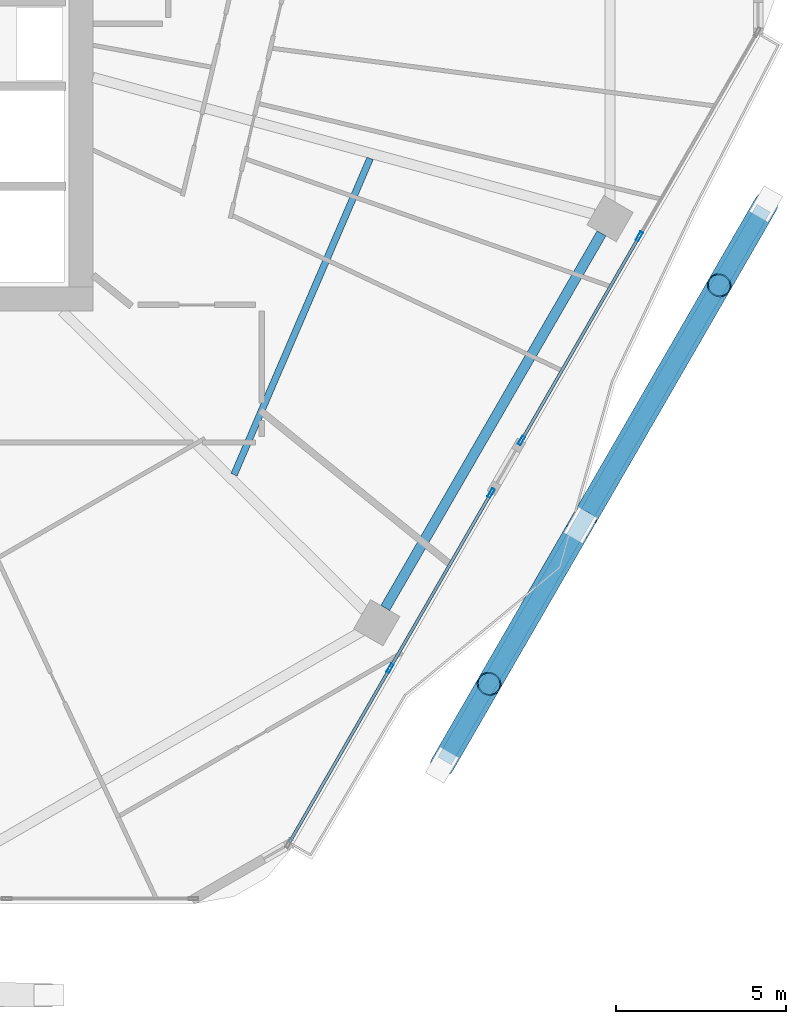
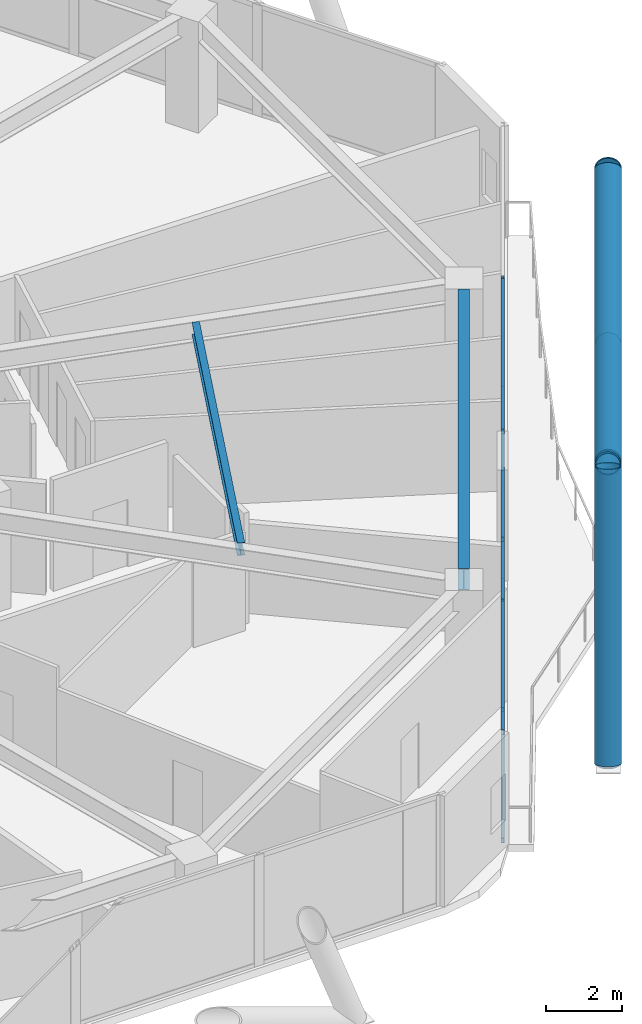
# One storey, part 9 of 30: 16 members, 2 beams, 2 elements without a shape of their own.
"""IFC4 building model written with IfcOpenShell, lengths in metres."""

from ifc_helpers import new_model, si_unit, direction, frame, origin, origin_2d, place, context, subcontext, project, spatial, hollow_rectangle, hollow_circle, i_section, extrude, material, material_profile, profile_set, type_object, element, aggregate, save


model = new_model("IFC4")

# Units and contexts
model_context = context("Model", 3, precision=1e-05, world=origin(), true_north=direction((0.0, 1.0)))
body_context = subcontext(model_context, "Body", "Model", "MODEL_VIEW")
ifc_project = project(units=[si_unit("LENGTHUNIT", "METRE"), si_unit("AREAUNIT", "SQUARE_METRE"), si_unit("VOLUMEUNIT", "CUBIC_METRE"), si_unit("PLANEANGLEUNIT", "RADIAN"), si_unit("MASSUNIT", "GRAM", prefix="KILO")], contexts=[model_context])

# Site, building, storey
site_placement = place(None, origin())
site = spatial("IfcSite", under=ifc_project, at=site_placement, CompositionType="ELEMENT")
building_placement = place(site_placement, origin())
building = spatial("IfcBuilding", under=site, at=building_placement, Name="Zuhravey Tower", CompositionType="ELEMENT")
storey_placement = place(building_placement, frame((0.0, 0.0, 177.0)))
storey = spatial("IfcBuildingStorey", under=building, at=storey_placement, Name="L44", CompositionType="ELEMENT", Elevation=177.0)

# Curtain wall, members
ifc_material_1 = material(Name="Thermally broken anodised aluminium", Category="aluminium")
curtain_wall_type = type_object("IfcCurtainWallType", Name="Zone 1-2 Residential Curtain Wall CW3", PredefinedType="NOTDEFINED", material=ifc_material_1)
curtain_wall_1_placement = place(storey_placement, origin())
curtain_wall_1 = element("IfcCurtainWall", 1, at=curtain_wall_1_placement, inside=storey, type_object=curtain_wall_type, Name="L44 CW3 CW-L44-F6-1", PredefinedType="NOTDEFINED")
ifc_material_2 = material(Name="Anodised aluminium", Category="aluminium")
ifc_material_profile_1 = material_profile(ifc_material_2, hollow_rectangle(XDim=0.090087890625, YDim=0.284912109375, WallThickness=0.0048828125, at=origin_2d()), Name="ALU-RHS-90x285x5")
ifc_profile_set_1 = profile_set([ifc_material_profile_1], Name="Anodised aluminium")
member_type_1 = type_object("IfcMemberType", Name="Curtain-Wall Mullion 90x180", PredefinedType="MULLION", material=ifc_profile_set_1)
member_1_placement = place(storey_placement, frame((62.97265625, 24.351806640625, 0.0), z_axis=(0.0, 0.0, 1.0), x_axis=(0.86602341816, -0.500003439186, 0.0)))
member_1 = element("IfcMember", 2, at=member_1_placement, type_object=member_type_1, Name="CW3 mullion 2", PredefinedType="MULLION", context=body_context, shape_type="SweptSolid", body=[
    extrude(hollow_rectangle(XDim=0.090087890625, YDim=0.284912109375, WallThickness=0.0048828125, at=origin_2d()), origin(), (0.0, 0.0, 1.0), 3.550048828125),
])
member_2_placement = place(storey_placement, frame((59.49609375, 18.330078125, 0.0), z_axis=(0.0, 0.0, 1.0), x_axis=(0.86602341816, -0.500003439186, 0.0)))
member_2 = element("IfcMember", 3, at=member_2_placement, type_object=member_type_1, Name="CW3 mullion 3", PredefinedType="MULLION", context=body_context, shape_type="SweptSolid", body=[
    extrude(hollow_rectangle(XDim=0.090087890625, YDim=0.284912109375, WallThickness=0.0048828125, at=origin_2d()), origin(), (0.0, 0.0, 1.0), 3.550048828125),
])

curtain_wall_2_placement = place(storey_placement, origin())
curtain_wall_2 = element("IfcCurtainWall", 4, at=curtain_wall_2_placement, inside=storey, type_object=curtain_wall_type, Name="L44 CW3 CW-L44-F6-2", PredefinedType="NOTDEFINED")
member_3_placement = place(storey_placement, frame((58.60107421875, 16.780029296875, 0.0), z_axis=(0.0, 0.0, 1.0), x_axis=(0.866025921518, -0.499999103257, 0.0)))
member_3 = element("IfcMember", 5, at=member_3_placement, type_object=member_type_1, Name="CW3 mullion 1", PredefinedType="MULLION", context=body_context, shape_type="SweptSolid", body=[
    extrude(hollow_rectangle(XDim=0.090087890625, YDim=0.284912109375, WallThickness=0.0048828125, at=origin_2d()), origin(), (0.0, 0.0, 1.0), 3.550048828125),
])
member_4_placement = place(storey_placement, frame((55.6171875, 11.611572265625, 0.0), z_axis=(0.0, 0.0, 1.0), x_axis=(0.866025921518, -0.499999103257, 0.0)))
member_4 = element("IfcMember", 6, at=member_4_placement, type_object=member_type_1, Name="CW3 mullion 2", PredefinedType="MULLION", context=body_context, shape_type="SweptSolid", body=[
    extrude(hollow_rectangle(XDim=0.090087890625, YDim=0.284912109375, WallThickness=0.0048828125, at=origin_2d()), origin(), (0.0, 0.0, 1.0), 3.550048828125),
])

# Member
ifc_material_profile_2 = material_profile(ifc_material_2, hollow_rectangle(XDim=0.090087890625, YDim=0.14990234375, WallThickness=0.0048828125, at=origin_2d()), Name="ALU-RHS-90x150x5")
ifc_profile_set_2 = profile_set([ifc_material_profile_2], Name="Anodised aluminium")
member_type_2 = type_object("IfcMemberType", Name="Curtain-Wall Transom 90x150", PredefinedType="USERDEFINED", material=ifc_profile_set_2)
member_5_placement = place(storey_placement, frame((62.9501953125, 24.31298828125, 0.044921875), z_axis=(-0.499995473844, -0.866028016946, 0.0), x_axis=(0.866028016946, -0.499995473844, 0.0)))
member_5 = element("IfcMember", 7, at=member_5_placement, type_object=member_type_2, Name="CW3 transom 2.1", ObjectType="TRANSOM", PredefinedType="USERDEFINED", context=body_context, shape_type="SweptSolid", body=[
    extrude(hollow_rectangle(XDim=0.090087890625, YDim=0.14990234375, WallThickness=0.0048828125, at=origin_2d()), origin(), (0.0, 0.0, 1.0), 6.86328125),
])

member_6_placement = place(storey_placement, frame((62.9501953125, 24.31298828125, 3.5048828125), z_axis=(-0.499995473844, -0.866028016946, 0.0), x_axis=(0.866028016946, -0.499995473844, 0.0)))
member_6 = element("IfcMember", 8, at=member_6_placement, type_object=member_type_2, Name="CW3 transom 2.2", ObjectType="TRANSOM", PredefinedType="USERDEFINED", context=body_context, shape_type="SweptSolid", body=[
    extrude(hollow_rectangle(XDim=0.090087890625, YDim=0.14990234375, WallThickness=0.0048828125, at=origin_2d()), origin(), (0.0, 0.0, 1.0), 6.86328125),
])

aggregate(curtain_wall_1, [member_1, member_2, member_5, member_6])

member_7_placement = place(storey_placement, frame((58.57861328125, 16.740966796875, 0.044921875), z_axis=(-0.500007690975, -0.866020963352, 0.0), x_axis=(0.866020963352, -0.500007690975, 0.0)))
member_7 = element("IfcMember", 9, at=member_7_placement, type_object=member_type_2, Name="CW3 transom 1.1", ObjectType="TRANSOM", PredefinedType="USERDEFINED", context=body_context, shape_type="SweptSolid", body=[
    extrude(hollow_rectangle(XDim=0.090087890625, YDim=0.14990234375, WallThickness=0.0048828125, at=origin_2d()), origin(), (0.0, 0.0, 1.0), 5.8779296875),
])

member_8_placement = place(storey_placement, frame((58.57861328125, 16.740966796875, 3.5048828125), z_axis=(-0.500007690975, -0.866020963352, 0.0), x_axis=(0.866020963352, -0.500007690975, 0.0)))
member_8 = element("IfcMember", 10, at=member_8_placement, type_object=member_type_2, Name="CW3 transom 1.2", ObjectType="TRANSOM", PredefinedType="USERDEFINED", context=body_context, shape_type="SweptSolid", body=[
    extrude(hollow_rectangle(XDim=0.090087890625, YDim=0.14990234375, WallThickness=0.0048828125, at=origin_2d()), origin(), (0.0, 0.0, 1.0), 5.8779296875),
])

member_9_placement = place(storey_placement, frame((55.594482421875, 11.57275390625, 0.044921875), z_axis=(-0.499976538491, -0.866038948869, 0.0), x_axis=(0.866038948869, -0.499976538491, 0.0)))
member_9 = element("IfcMember", 11, at=member_9_placement, type_object=member_type_2, Name="CW3 transom 2.1", ObjectType="TRANSOM", PredefinedType="USERDEFINED", context=body_context, shape_type="SweptSolid", body=[
    extrude(hollow_rectangle(XDim=0.090087890625, YDim=0.14990234375, WallThickness=0.0048828125, at=origin_2d()), origin(), (0.0, 0.0, 1.0), 5.877685546875),
])

member_10_placement = place(storey_placement, frame((55.594482421875, 11.57275390625, 3.5048828125), z_axis=(-0.499976538491, -0.866038948869, 0.0), x_axis=(0.866038948869, -0.499976538491, 0.0)))
member_10 = element("IfcMember", 12, at=member_10_placement, type_object=member_type_2, Name="CW3 transom 2.2", ObjectType="TRANSOM", PredefinedType="USERDEFINED", context=body_context, shape_type="SweptSolid", body=[
    extrude(hollow_rectangle(XDim=0.090087890625, YDim=0.14990234375, WallThickness=0.0048828125, at=origin_2d()), origin(), (0.0, 0.0, 1.0), 5.877685546875),
])

aggregate(curtain_wall_2, [member_3, member_4, member_7, member_8, member_9, member_10])

# Members
ifc_material_3 = material(Name="Steel SM355", Category="steel")
ifc_material_profile_3 = material_profile(ifc_material_3, hollow_circle(Radius=0.228515625, WallThickness=0.02197265625, at=origin_2d()), Name="CHS-457.2x22")
ifc_profile_set_3 = profile_set([ifc_material_profile_3], Name="Steel SM355")
member_type_3 = type_object("IfcMemberType", Name="Exoskeleton Ring Tie CHS457x22", PredefinedType="CHORD", material=ifc_profile_set_3)
member_11_placement = place(storey_placement, frame((57.22412109375, 8.874755859375, -0.464111328125), z_axis=(0.499989194203, 0.866031642424, 0.0), x_axis=(-0.866031642424, 0.499989194203, 0.0)))
element("IfcMember", 13, at=member_11_placement, inside=storey, type_object=member_type_3, Name="L44 Exoskeleton Face 6 Tie EXR1", PredefinedType="CHORD", context=body_context, shape_type="SweptSolid", body=[
    extrude(hollow_circle(Radius=0.228515625, WallThickness=0.02197265625, at=origin_2d()), origin(), (0.0, 0.0, 1.0), 18.830078125),
])
ifc_material_4 = material(Name="Steel SM460", Category="steel")
ifc_material_profile_4 = material_profile(ifc_material_4, hollow_circle(Radius=0.355712890625, WallThickness=0.031982421875, at=origin_2d()), Name="CHS-711.2x32")
ifc_profile_set_4 = profile_set([ifc_material_profile_4], Name="Steel SM460")
member_type_4 = type_object("IfcMemberType", Name="Exoskeleton Zone 2 Diagrid CHS711x32", PredefinedType="BRACE", material=ifc_profile_set_4)
member_12_placement = place(storey_placement, frame((57.15771484375, 8.760009765625, -0.444091796875), z_axis=(0.171428917165, 0.296929081792, 0.939385568734), x_axis=(-0.866029404905, 0.499993069792, 0.0)))
element("IfcMember", 14, at=member_12_placement, inside=storey, type_object=member_type_4, Name="L44 Face 6 Diagrid Brace 1", PredefinedType="BRACE", context=body_context, shape_type="SweptSolid", body=[
    extrude(hollow_circle(Radius=0.355712890625, WallThickness=0.031982421875, at=origin_2d()), origin(), (0.0, 0.0, 1.0), 8.0478515625),
])
member_13_placement = place(storey_placement, frame((57.175537109375, 8.790771484375, -0.444091796875), z_axis=(0.453338388553, 0.785209877744, 0.421817203724), x_axis=(-0.866026715089, 0.499997728747, 0.0)))
element("IfcMember", 15, at=member_13_placement, inside=storey, type_object=member_type_4, Name="L44 Face 6 Diagrid Brace 2", PredefinedType="BRACE", context=body_context, shape_type="SweptSolid", body=[
    extrude(hollow_circle(Radius=0.355712890625, WallThickness=0.031982421875, at=origin_2d()), origin(), (0.0, 0.0, 1.0), 17.922607421875),
])
member_14_placement = place(storey_placement, frame((66.705322265625, 25.296875, -0.444091796875), z_axis=(-0.171428917165, -0.296929081792, 0.939385568734), x_axis=(0.866029404905, -0.499993069792, 0.0)))
element("IfcMember", 16, at=member_14_placement, inside=storey, type_object=member_type_4, Name="L44 Face 6 Diagrid Brace 4", PredefinedType="BRACE", context=body_context, shape_type="SweptSolid", body=[
    extrude(hollow_circle(Radius=0.355712890625, WallThickness=0.031982421875, at=origin_2d()), origin(), (0.0, 0.0, 1.0), 8.0478515625),
])
member_15_placement = place(storey_placement, frame((66.6865234375, 25.264404296875, -0.448486328125), z_axis=(-0.472328200199, -0.818092776704, 0.328070541198), x_axis=(0.866024434144, -0.500001679462, 0.0)))
element("IfcMember", 17, at=member_15_placement, inside=storey, type_object=member_type_4, Name="L44 Face 6 Split Diagrid Brace 3A", PredefinedType="BRACE", context=body_context, shape_type="SweptSolid", body=[
    extrude(hollow_circle(Radius=0.355712890625, WallThickness=0.031982421875, at=origin_2d()), origin(), (0.0, 0.0, 1.0), 11.190185546875),
])
member_16_placement = place(storey_placement, frame((61.0966796875, 15.58251953125, 3.534912109375), z_axis=(-0.408754040359, -0.707971912813, 0.575930469032), x_axis=(0.866022084834, -0.500005748546, 0.0)))
element("IfcMember", 18, at=member_16_placement, inside=storey, type_object=member_type_4, Name="L44 Face 6 Split Diagrid Brace 3B", PredefinedType="BRACE", context=body_context, shape_type="SweptSolid", body=[
    extrude(hollow_circle(Radius=0.355712890625, WallThickness=0.031982421875, at=origin_2d()), origin(), (0.0, 0.0, 1.0), 6.205078125),
])

# Beams
ifc_material_profile_5 = material_profile(ifc_material_3, i_section(OverallWidth=0.300048828125, OverallDepth=0.679931640625, WebThickness=0.012939453125, FlangeThickness=0.02197265625, at=origin_2d()), Name="H-680x300x13x22")
ifc_profile_set_5 = profile_set([ifc_material_profile_5], Name="Steel SM355")
beam_type_1 = type_object("IfcBeamType", Name="Perimeter Ring Beam H680x300", PredefinedType="BEAM", material=ifc_profile_set_5)
beam_1_placement = place(storey_placement, frame((55.47705078125, 13.388916015625, 3.2099609375), z_axis=(0.499997974489, 0.866026573211, 0.0), x_axis=(-0.866026573211, 0.499997974489, 0.0)))
element("IfcBeam", 19, at=beam_1_placement, inside=storey, type_object=beam_type_1, Name="L44 PB2 BM-L44-PB-11", PredefinedType="BEAM", context=body_context, shape_type="SweptSolid", body=[
    extrude(i_section(OverallWidth=0.300048828125, OverallDepth=0.679931640625, WebThickness=0.012939453125, FlangeThickness=0.02197265625, at=origin_2d()), origin(), (0.0, 0.0, 1.0), 12.75830078125),
])
ifc_material_profile_6 = material_profile(ifc_material_3, i_section(OverallWidth=0.199951171875, OverallDepth=0.39990234375, WebThickness=0.008056640625, FlangeThickness=0.012939453125, at=origin_2d()), Name="H-400x200x8x13")
ifc_profile_set_6 = profile_set([ifc_material_profile_6], Name="Steel SM355")
beam_type_2 = type_object("IfcBeamType", Name="Secondary Floor Joist H400x200", PredefinedType="JOIST", material=ifc_profile_set_6)
beam_2_placement = place(storey_placement, frame((51.017578125, 17.323974609375, 3.35009765625), z_axis=(0.395265853487, 0.918566766799, 0.0), x_axis=(-0.918566766799, 0.395265853487, 0.0)))
element("IfcBeam", 20, at=beam_2_placement, inside=storey, type_object=beam_type_2, Name="L44 SJ2 BM-L44-SJ-11-1", PredefinedType="JOIST", context=body_context, shape_type="SweptSolid", body=[
    extrude(i_section(OverallWidth=0.199951171875, OverallDepth=0.39990234375, WebThickness=0.008056640625, FlangeThickness=0.012939453125, at=origin_2d()), origin(), (0.0, 0.0, 1.0), 10.150146484375),
])

save(model, "model.ifc")
